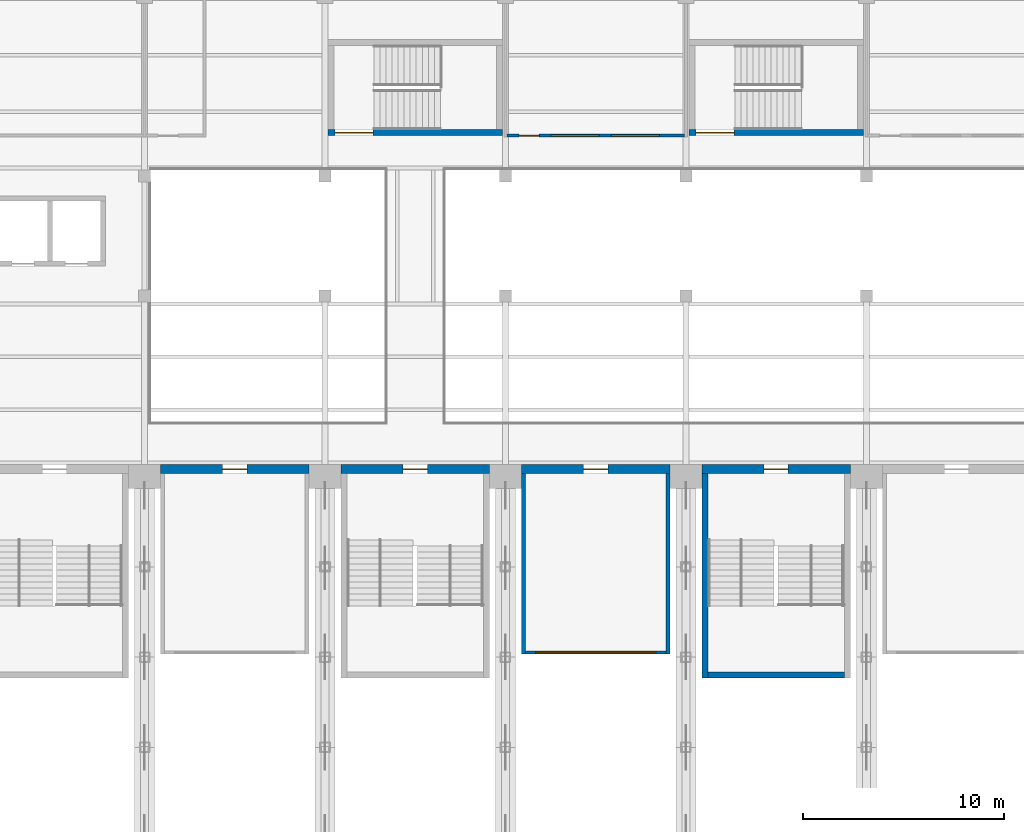
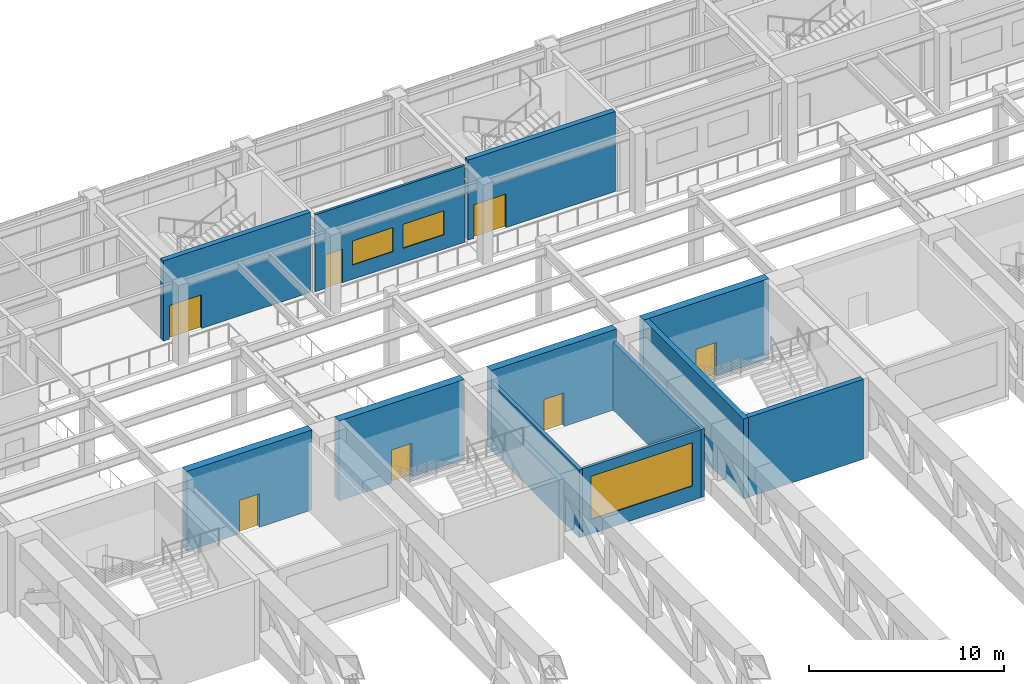
# One storey, part 35 of 76: 12 walls, 7 doors, 3 windows, 10 openings.
"""IFC4 building model written with IfcOpenShell, lengths in metres."""

from ifc_helpers import new_model, si_unit, direction, frame, frame_2d, origin, place, context, subcontext, project, spatial, rectangle, extrude, material, layer, layer_set, type_object, element, fill, save


model = new_model("IFC4")

# Units and contexts
model_context = context("Model", 3, precision=1e-05, world=origin(), true_north=direction((0.0, 1.0)))
body_context = subcontext(model_context, "Body", "Model", "MODEL_VIEW")
ifc_project = project(units=[si_unit("LENGTHUNIT", "METRE"), si_unit("AREAUNIT", "SQUARE_METRE"), si_unit("VOLUMEUNIT", "CUBIC_METRE"), si_unit("PLANEANGLEUNIT", "RADIAN"), si_unit("MASSUNIT", "GRAM", prefix="KILO")], contexts=[model_context])

# Site, building, storey
site_placement = place(None, origin())
site = spatial("IfcSite", under=ifc_project, at=site_placement, CompositionType="ELEMENT")
building_placement = place(site_placement, origin())
building = spatial("IfcBuilding", under=site, at=building_placement, Name="Aravalli Gate Trade Fair Centre", CompositionType="ELEMENT")
storey_placement = place(building_placement, frame((0.0, 0.0, 10.0)))
storey = spatial("IfcBuildingStorey", under=building, at=storey_placement, Name="L02", CompositionType="ELEMENT", Elevation=10.0)

# Wall, opening, door
ifc_material_1 = material(Name="Concrete M40", Category="concrete")
ifc_layer_1 = layer(ifc_material_1, 0.25, Name="Structural wall")
ifc_material_2 = material(Name="Ventilated air cavity")
ifc_layer_2 = layer(ifc_material_2, 0.10009765625, ventilated=True, Name="Ventilated cavity")
ifc_material_3 = material(Name="Terracotta rainscreen", Category="masonry")
ifc_layer_3 = layer(ifc_material_3, 0.10009765625, Name="Rainscreen cladding")
ifc_layer_set_1 = layer_set([ifc_layer_1, ifc_layer_2, ifc_layer_3], Name="Hall external wall 450")
wall_type_1 = type_object("IfcWallType", Name="Hall external wall 450", PredefinedType="SOLIDWALL", material=ifc_layer_set_1)
wall_1_placement = place(storey_placement, frame((24.800048828125, 109.375, 0.0), z_axis=(0.0, 0.0, 1.0), x_axis=(1.0, 0.0, 0.0)))
wall_1 = element("IfcWall", 1, at=wall_1_placement, inside=storey, type_object=wall_type_1, Name="Hall north wall bay 3 L02", PredefinedType="SOLIDWALL", context=body_context, shape_type="SweptSolid", body=[
    extrude(rectangle(XDim=7.39990234375, YDim=0.449951171875, at=frame_2d((3.699951171875, 0.0))), origin(), (0.0, 0.0, 1.0), 5.0),
])
opening_1_placement = place(wall_1_placement, frame((3.10009765625, 0.0, 0.0)))
opening_1 = element("IfcOpeningElement", 2, at=opening_1_placement, cuts=wall_1, Name="Opening H-L02-06", PredefinedType="OPENING", context=body_context, shape_type="SweptSolid", body=[
    extrude(rectangle(XDim=1.199951171875, YDim=2.10009765625, at=frame_2d((0.60009765625, 1.050048828125))), frame((0.0, 0.23486328125, 0.0), z_axis=(0.0, -1.0, 0.0), x_axis=(1.0, 0.0, 0.0)), (0.0, 0.0, 1.0), 0.469970703125),
])
ifc_material_4 = material(Name="Steel", Category="steel")
door_type_1 = type_object("IfcDoorType", Name="Meeting room door FD60", OperationType="SINGLE_SWING_LEFT", PredefinedType="DOOR", material=ifc_material_4)
door_1_placement = place(opening_1_placement, frame((1.199951171875, 0.0, 0.0), z_axis=(0.0, 0.0, 1.0), x_axis=(-1.0, 0.0, 0.0)))
door_1 = element("IfcDoor", 3, at=door_1_placement, inside=storey, type_object=door_type_1, Name="Meeting room 7 door", OperationType="SINGLE_SWING_RIGHT", OverallHeight=2.10009765625, OverallWidth=1.199951171875, PredefinedType="DOOR", context=body_context, shape_type="SweptSolid", body=[
    extrude(rectangle(XDim=1.199951171875, YDim=2.10009765625, at=frame_2d((0.60009765625, 1.050048828125))), frame((0.0, 0.02490234375, 0.0), z_axis=(0.0, -1.0, 0.0), x_axis=(1.0, 0.0, 0.0)), (0.0, 0.0, 1.0), 0.050048828125),
])
fill(opening_1, door_1)

wall_2_placement = place(storey_placement, frame((33.800048828125, 109.375, 0.0), z_axis=(0.0, 0.0, 1.0), x_axis=(1.0, 0.0, 0.0)))
wall_2 = element("IfcWall", 4, at=wall_2_placement, inside=storey, type_object=wall_type_1, Name="Hall north wall bay 4 L02", PredefinedType="SOLIDWALL", context=body_context, shape_type="SweptSolid", body=[
    extrude(rectangle(XDim=7.39990234375, YDim=0.449951171875, at=frame_2d((3.699951171875, 0.0))), origin(), (0.0, 0.0, 1.0), 5.0),
])
opening_2_placement = place(wall_2_placement, frame((3.10009765625, 0.0, 0.0)))
opening_2 = element("IfcOpeningElement", 5, at=opening_2_placement, cuts=wall_2, Name="Opening H-L02-02", PredefinedType="OPENING", context=body_context, shape_type="SweptSolid", body=[
    extrude(rectangle(XDim=1.199951171875, YDim=2.10009765625, at=frame_2d((0.60009765625, 1.050048828125))), frame((0.0, 0.23486328125, 0.0), z_axis=(0.0, -1.0, 0.0), x_axis=(1.0, 0.0, 0.0)), (0.0, 0.0, 1.0), 0.469970703125),
])
door_type_2 = type_object("IfcDoorType", Name="Hall stair gallery door FD120", OperationType="SINGLE_SWING_LEFT", PredefinedType="DOOR", material=ifc_material_4)
door_2_placement = place(opening_2_placement, frame((1.199951171875, 0.0, 0.0), z_axis=(0.0, 0.0, 1.0), x_axis=(-1.0, 0.0, 0.0)))
door_2 = element("IfcDoor", 6, at=door_2_placement, inside=storey, type_object=door_type_2, Name="Stair door ST-N04 L02 gallery", OperationType="SINGLE_SWING_RIGHT", OverallHeight=2.10009765625, OverallWidth=1.199951171875, PredefinedType="DOOR", context=body_context, shape_type="SweptSolid", body=[
    extrude(rectangle(XDim=1.199951171875, YDim=2.10009765625, at=frame_2d((0.60009765625, 1.050048828125))), frame((0.0, 0.02490234375, 0.0), z_axis=(0.0, -1.0, 0.0), x_axis=(1.0, 0.0, 0.0)), (0.0, 0.0, 1.0), 0.050048828125),
])
fill(opening_2, door_2)

wall_3_placement = place(storey_placement, frame((42.800048828125, 109.375, 0.0), z_axis=(0.0, 0.0, 1.0), x_axis=(1.0, 0.0, 0.0)))
wall_3 = element("IfcWall", 7, at=wall_3_placement, inside=storey, type_object=wall_type_1, Name="Hall north wall bay 5 L02", PredefinedType="SOLIDWALL", context=body_context, shape_type="SweptSolid", body=[
    extrude(rectangle(XDim=7.39990234375, YDim=0.449951171875, at=frame_2d((3.699951171875, 0.0))), origin(), (0.0, 0.0, 1.0), 5.0),
])
opening_3_placement = place(wall_3_placement, frame((3.10009765625, 0.0, 0.0)))
opening_3 = element("IfcOpeningElement", 8, at=opening_3_placement, cuts=wall_3, Name="Opening H-L02-07", PredefinedType="OPENING", context=body_context, shape_type="SweptSolid", body=[
    extrude(rectangle(XDim=1.199951171875, YDim=2.10009765625, at=frame_2d((0.60009765625, 1.050048828125))), frame((0.0, 0.23486328125, 0.0), z_axis=(0.0, -1.0, 0.0), x_axis=(1.0, 0.0, 0.0)), (0.0, 0.0, 1.0), 0.469970703125),
])
door_3_placement = place(opening_3_placement, frame((1.199951171875, 0.0, 0.0), z_axis=(0.0, 0.0, 1.0), x_axis=(-1.0, 0.0, 0.0)))
door_3 = element("IfcDoor", 9, at=door_3_placement, inside=storey, type_object=door_type_1, Name="Meeting room 8 door", OperationType="SINGLE_SWING_LEFT", OverallHeight=2.10009765625, OverallWidth=1.199951171875, PredefinedType="DOOR", context=body_context, shape_type="SweptSolid", body=[
    extrude(rectangle(XDim=1.199951171875, YDim=2.10009765625, at=frame_2d((0.60009765625, 1.050048828125))), frame((0.0, 0.02490234375, 0.0), z_axis=(0.0, -1.0, 0.0), x_axis=(1.0, 0.0, 0.0)), (0.0, 0.0, 1.0), 0.050048828125),
])
fill(opening_3, door_3)

wall_4_placement = place(storey_placement, frame((51.800048828125, 109.375, 0.0), z_axis=(0.0, 0.0, 1.0), x_axis=(1.0, 0.0, 0.0)))
wall_4 = element("IfcWall", 10, at=wall_4_placement, inside=storey, type_object=wall_type_1, Name="Hall north wall bay 6 L02", PredefinedType="SOLIDWALL", context=body_context, shape_type="SweptSolid", body=[
    extrude(rectangle(XDim=7.39990234375, YDim=0.449951171875, at=frame_2d((3.699951171875, 0.0))), origin(), (0.0, 0.0, 1.0), 5.0),
])
opening_4_placement = place(wall_4_placement, frame((3.10009765625, 0.0, 0.0)))
opening_4 = element("IfcOpeningElement", 11, at=opening_4_placement, cuts=wall_4, Name="Opening H-L02-03", PredefinedType="OPENING", context=body_context, shape_type="SweptSolid", body=[
    extrude(rectangle(XDim=1.199951171875, YDim=2.10009765625, at=frame_2d((0.60009765625, 1.050048828125))), frame((0.0, 0.23486328125, 0.0), z_axis=(0.0, -1.0, 0.0), x_axis=(1.0, 0.0, 0.0)), (0.0, 0.0, 1.0), 0.469970703125),
])
door_4_placement = place(opening_4_placement, frame((1.199951171875, 0.0, 0.0), z_axis=(0.0, 0.0, 1.0), x_axis=(-1.0, 0.0, 0.0)))
door_4 = element("IfcDoor", 12, at=door_4_placement, inside=storey, type_object=door_type_2, Name="Stair door ST-N06 L02 gallery", OperationType="SINGLE_SWING_LEFT", OverallHeight=2.10009765625, OverallWidth=1.199951171875, PredefinedType="DOOR", context=body_context, shape_type="SweptSolid", body=[
    extrude(rectangle(XDim=1.199951171875, YDim=2.10009765625, at=frame_2d((0.60009765625, 1.050048828125))), frame((0.0, 0.02490234375, 0.0), z_axis=(0.0, -1.0, 0.0), x_axis=(1.0, 0.0, 0.0)), (0.0, 0.0, 1.0), 0.050048828125),
])
fill(opening_4, door_4)

# Wall, opening, window
ifc_material_5 = material(Name="Steel E350 (350 MPa)", Category="steel")
ifc_layer_4 = layer(ifc_material_5, 0.14990234375)
ifc_layer_set_2 = layer_set([ifc_layer_4], Name="Steel E350 (350 MPa)")
wall_type_2 = type_object("IfcWallType", Name="Meeting room glazed front wall 150", PredefinedType="PARTITIONING", material=ifc_layer_set_2)
wall_5_placement = place(storey_placement, frame((43.0, 100.22509765625, 0.0), z_axis=(0.0, 0.0, 1.0), x_axis=(1.0, 0.0, 0.0)))
wall_5 = element("IfcWall", 13, at=wall_5_placement, inside=storey, type_object=wall_type_2, Name="Meeting room 8 front wall", PredefinedType="PARTITIONING", context=body_context, shape_type="SweptSolid", body=[
    extrude(rectangle(XDim=7.0, YDim=0.14990234375, at=frame_2d((3.5, 0.0))), origin(), (0.0, 0.0, 1.0), 4.25),
])
opening_5_placement = place(wall_5_placement, frame((0.5, 0.0, 0.89990234375)))
opening_5 = element("IfcOpeningElement", 14, at=opening_5_placement, cuts=wall_5, Name="Opening WM1", PredefinedType="OPENING", context=body_context, shape_type="SweptSolid", body=[
    extrude(rectangle(XDim=6.0, YDim=2.699951171875, at=frame_2d((3.0, 1.35009765625))), frame((0.0, 0.0849609375, 0.0), z_axis=(0.0, -1.0, 0.0), x_axis=(1.0, 0.0, 0.0)), (0.0, 0.0, 1.0), 0.169921875),
])
ifc_material_6 = material(Name="Glass in steel frame", Category="steel")
window_type_1 = type_object("IfcWindowType", Name="Meeting room window 6000x2700", PartitioningType="TRIPLE_PANEL_VERTICAL", PredefinedType="WINDOW", material=ifc_material_6)
window_1_placement = place(opening_5_placement, origin())
window_1 = element("IfcWindow", 15, at=window_1_placement, inside=storey, type_object=window_type_1, Name="Meeting room 8 window", OverallHeight=2.699951171875, OverallWidth=6.0, PartitioningType="TRIPLE_PANEL_VERTICAL", PredefinedType="WINDOW", context=body_context, shape_type="SweptSolid", body=[
    extrude(rectangle(XDim=6.0, YDim=2.699951171875, at=frame_2d((3.0, 1.35009765625))), frame((0.0, 0.030029296875, 0.0), z_axis=(0.0, -1.0, 0.0), x_axis=(1.0, 0.0, 0.0)), (0.0, 0.0, 1.0), 0.06005859375),
])
fill(opening_5, window_1)

# Walls
ifc_layer_5 = layer(ifc_material_1, 0.199951171875)
ifc_layer_set_3 = layer_set([ifc_layer_5], Name="Concrete M40")
wall_type_3 = type_object("IfcWallType", Name="Meeting room side wall RC 200", PredefinedType="SHEAR", material=ifc_layer_set_3)
for number, where, z_axis, x_axis, name in (
    (16, (42.89990234375, 100.14990234375, 0.0), (0.0, 0.0, 1.0), (0.0, 1.0, 0.0), "Meeting room 8 side wall W"),
    (17, (50.10009765625, 100.14990234375, 0.0), (0.0, 0.0, 1.0), (0.0, 1.0, 0.0), "Meeting room 8 side wall E"),
):
    element("IfcWall", number, at=place(storey_placement, frame(where, z_axis=z_axis, x_axis=x_axis)), inside=storey, type_object=wall_type_3, Name=name, PredefinedType="SHEAR", context=body_context, shape_type="SweptSolid", body=[
        extrude(rectangle(XDim=9.0, YDim=0.199951171875, at=frame_2d((4.5, 0.0))), origin(), (0.0, 0.0, 1.0), 4.25),
    ])

# Wall, openings, windows, door
ifc_material_7 = material(Name="Gypsum board")
ifc_layer_6 = layer(ifc_material_7, 0.02490234375, Name="Gypsum board lining")
ifc_material_8 = material(Name="Galvanised stud framing")
ifc_layer_7 = layer(ifc_material_8, 0.10009765625, Name="Stud framing")
ifc_layer_8 = layer(ifc_material_7, 0.02490234375, Name="Gypsum board lining")
ifc_layer_set_4 = layer_set([ifc_layer_6, ifc_layer_7, ifc_layer_8], Name="Partition wall 150")
wall_type_4 = type_object("IfcWallType", Name="Partition wall 150", PredefinedType="PARTITIONING", material=ifc_layer_set_4)
wall_6_placement = place(storey_placement, frame((42.074951171875, 126.0, 0.0), z_axis=(0.0, 0.0, 1.0), x_axis=(1.0, 0.0, 0.0)))
wall_6 = element("IfcWall", 18, at=wall_6_placement, inside=storey, type_object=wall_type_4, Name="Partition Meeting Room 1 south L02", PredefinedType="PARTITIONING", context=body_context, shape_type="SweptSolid", body=[
    extrude(rectangle(XDim=8.85009765625, YDim=0.14990234375, at=frame_2d((4.425048828125, 0.0))), origin(), (0.0, 0.0, 1.0), 4.800048828125),
])
opening_6_placement = place(wall_6_placement, frame((0.60009765625, 0.0, 0.0)))
opening_6 = element("IfcOpeningElement", 19, at=opening_6_placement, cuts=wall_6, Name="Opening C-L02-15", PredefinedType="OPENING", context=body_context, shape_type="SweptSolid", body=[
    extrude(rectangle(XDim=1.0, YDim=2.10009765625, at=frame_2d((0.5, 1.050048828125))), frame((0.0, 0.0849609375, 0.0), z_axis=(0.0, -1.0, 0.0), x_axis=(1.0, 0.0, 0.0)), (0.0, 0.0, 1.0), 0.169921875),
])
opening_7_placement = place(wall_6_placement, frame((2.199951171875, 0.0, 0.89990234375)))
opening_7 = element("IfcOpeningElement", 20, at=opening_7_placement, cuts=wall_6, Name="Opening WI1", PredefinedType="OPENING", context=body_context, shape_type="SweptSolid", body=[
    extrude(rectangle(XDim=2.39990234375, YDim=1.5, at=frame_2d((1.199951171875, 0.75))), frame((0.0, 0.0849609375, 0.0), z_axis=(0.0, -1.0, 0.0), x_axis=(1.0, 0.0, 0.0)), (0.0, 0.0, 1.0), 0.169921875),
])
opening_8_placement = place(wall_6_placement, frame((5.199951171875, 0.0, 0.89990234375)))
opening_8 = element("IfcOpeningElement", 21, at=opening_8_placement, cuts=wall_6, Name="Opening WI1", PredefinedType="OPENING", context=body_context, shape_type="SweptSolid", body=[
    extrude(rectangle(XDim=2.39990234375, YDim=1.5, at=frame_2d((1.199951171875, 0.75))), frame((0.0, 0.0849609375, 0.0), z_axis=(0.0, -1.0, 0.0), x_axis=(1.0, 0.0, 0.0)), (0.0, 0.0, 1.0), 0.169921875),
])
ifc_material_9 = material(Name="Glass, fire rated", Category="glass")
window_type_2 = type_object("IfcWindowType", Name="Interior glazed screen 2400 x 1500", PartitioningType="SINGLE_PANEL", PredefinedType="WINDOW", material=ifc_material_9)
window_2_placement = place(opening_7_placement, origin())
window_2 = element("IfcWindow", 22, at=window_2_placement, inside=storey, type_object=window_type_2, Name="Interior window Meeting Room 1 1 L02", OverallHeight=1.5, OverallWidth=2.39990234375, PartitioningType="SINGLE_PANEL", PredefinedType="WINDOW", context=body_context, shape_type="SweptSolid", body=[
    extrude(rectangle(XDim=2.39990234375, YDim=1.5, at=frame_2d((1.199951171875, 0.75))), frame((0.0, 0.030029296875, 0.0), z_axis=(0.0, -1.0, 0.0), x_axis=(1.0, 0.0, 0.0)), (0.0, 0.0, 1.0), 0.06005859375),
])
fill(opening_7, window_2)
window_3_placement = place(opening_8_placement, origin())
window_3 = element("IfcWindow", 23, at=window_3_placement, inside=storey, type_object=window_type_2, Name="Interior window Meeting Room 1 2 L02", OverallHeight=1.5, OverallWidth=2.39990234375, PartitioningType="SINGLE_PANEL", PredefinedType="WINDOW", context=body_context, shape_type="SweptSolid", body=[
    extrude(rectangle(XDim=2.39990234375, YDim=1.5, at=frame_2d((1.199951171875, 0.75))), frame((0.0, 0.030029296875, 0.0), z_axis=(0.0, -1.0, 0.0), x_axis=(1.0, 0.0, 0.0)), (0.0, 0.0, 1.0), 0.06005859375),
])
fill(opening_8, window_3)
ifc_material_10 = material(Name="Steel, fire rated", Category="steel")
door_type_3 = type_object("IfcDoorType", Name="Room door 1000 x 2100", OperationType="SINGLE_SWING_RIGHT", PredefinedType="NOTDEFINED", material=ifc_material_10)
door_5_placement = place(opening_6_placement, origin())
door_5 = element("IfcDoor", 24, at=door_5_placement, inside=storey, type_object=door_type_3, Name="Door Meeting Room 1 L02", OperationType="SINGLE_SWING_LEFT", OverallHeight=2.10009765625, OverallWidth=1.0, PredefinedType="NOTDEFINED", context=body_context, shape_type="SweptSolid", body=[
    extrude(rectangle(XDim=1.0, YDim=2.10009765625, at=frame_2d((0.5, 1.050048828125))), frame((0.0, 0.02490234375, 0.0), z_axis=(0.0, -1.0, 0.0), x_axis=(1.0, 0.0, 0.0)), (0.0, 0.0, 1.0), 0.050048828125),
])
fill(opening_6, door_5)

# Wall, opening, door
ifc_layer_9 = layer(ifc_material_1, 0.300048828125)
ifc_layer_set_5 = layer_set([ifc_layer_9], Name="Concrete M40")
wall_type_5 = type_object("IfcWallType", Name="RC core wall 300", PredefinedType="SHEAR", material=ifc_layer_set_5)
wall_7_placement = place(storey_placement, frame((33.14990234375, 126.14990234375, 0.0), z_axis=(0.0, 0.0, 1.0), x_axis=(1.0, 0.0, 0.0)))
wall_7 = element("IfcWall", 25, at=wall_7_placement, inside=storey, type_object=wall_type_5, Name="Core wall XAS L02", PredefinedType="SHEAR", context=body_context, shape_type="SweptSolid", body=[
    extrude(rectangle(XDim=8.7001953125, YDim=0.300048828125, at=frame_2d((4.35009765625, 0.0))), origin(), (0.0, 0.0, 1.0), 5.0),
])
opening_9_placement = place(wall_7_placement, frame((0.35009765625, 0.0, 0.0)))
opening_9 = element("IfcOpeningElement", 26, at=opening_9_placement, cuts=wall_7, Name="Opening C-L02-07", PredefinedType="OPENING", context=body_context, shape_type="SweptSolid", body=[
    extrude(rectangle(XDim=1.89990234375, YDim=2.10009765625, at=frame_2d((0.949951171875, 1.050048828125))), frame((0.0, 0.159912109375, 0.0), z_axis=(0.0, -1.0, 0.0), x_axis=(1.0, 0.0, 0.0)), (0.0, 0.0, 1.0), 0.320068359375),
])
door_type_4 = type_object("IfcDoorType", Name="Concourse stair door 1900 x 2100", OperationType="DOUBLE_DOOR_SINGLE_SWING", PredefinedType="NOTDEFINED", material=ifc_material_10)
door_6_placement = place(opening_9_placement, origin())
door_6 = element("IfcDoor", 27, at=door_6_placement, inside=storey, type_object=door_type_4, Name="Stair door XA L02", OperationType="DOUBLE_DOOR_SINGLE_SWING", OverallHeight=2.10009765625, OverallWidth=1.89990234375, PredefinedType="NOTDEFINED", context=body_context, shape_type="SweptSolid", body=[
    extrude(rectangle(XDim=1.89990234375, YDim=2.10009765625, at=frame_2d((0.949951171875, 1.050048828125))), frame((0.0, 0.02490234375, 0.0), z_axis=(0.0, -1.0, 0.0), x_axis=(1.0, 0.0, 0.0)), (0.0, 0.0, 1.0), 0.050048828125),
])
fill(opening_9, door_6)

wall_8_placement = place(storey_placement, frame((51.14990234375, 126.14990234375, 0.0), z_axis=(0.0, 0.0, 1.0), x_axis=(1.0, 0.0, 0.0)))
wall_8 = element("IfcWall", 28, at=wall_8_placement, inside=storey, type_object=wall_type_5, Name="Core wall XBS L02", PredefinedType="SHEAR", context=body_context, shape_type="SweptSolid", body=[
    extrude(rectangle(XDim=8.7001953125, YDim=0.300048828125, at=frame_2d((4.35009765625, 0.0))), origin(), (0.0, 0.0, 1.0), 5.0),
])
opening_10_placement = place(wall_8_placement, frame((0.35009765625, 0.0, 0.0)))
opening_10 = element("IfcOpeningElement", 29, at=opening_10_placement, cuts=wall_8, Name="Opening C-L02-08", PredefinedType="OPENING", context=body_context, shape_type="SweptSolid", body=[
    extrude(rectangle(XDim=1.89990234375, YDim=2.10009765625, at=frame_2d((0.949951171875, 1.050048828125))), frame((0.0, 0.159912109375, 0.0), z_axis=(0.0, -1.0, 0.0), x_axis=(1.0, 0.0, 0.0)), (0.0, 0.0, 1.0), 0.320068359375),
])
door_7_placement = place(opening_10_placement, origin())
door_7 = element("IfcDoor", 30, at=door_7_placement, inside=storey, type_object=door_type_4, Name="Stair door XB L02", OperationType="DOUBLE_DOOR_SINGLE_SWING", OverallHeight=2.10009765625, OverallWidth=1.89990234375, PredefinedType="NOTDEFINED", context=body_context, shape_type="SweptSolid", body=[
    extrude(rectangle(XDim=1.89990234375, YDim=2.10009765625, at=frame_2d((0.949951171875, 1.050048828125))), frame((0.0, 0.02490234375, 0.0), z_axis=(0.0, -1.0, 0.0), x_axis=(1.0, 0.0, 0.0)), (0.0, 0.0, 1.0), 0.050048828125),
])
fill(opening_10, door_7)

# Walls
ifc_layer_10 = layer(ifc_material_1, 0.300048828125)
ifc_layer_set_6 = layer_set([ifc_layer_10], Name="Concrete M40")
wall_type_6 = type_object("IfcWallType", Name="Stair tower wall RC 300", PredefinedType="SHEAR", material=ifc_layer_set_6)
wall_9_placement = place(storey_placement, frame((51.949951171875, 109.14990234375, 0.0), z_axis=(0.0, 0.0, 1.0), x_axis=(0.0, -1.0, 0.0)))
element("IfcWall", 31, at=wall_9_placement, inside=storey, type_object=wall_type_6, Name="Stair tower N06 wall W L02", PredefinedType="SHEAR", context=body_context, shape_type="SweptSolid", body=[
    extrude(rectangle(XDim=10.199951171875, YDim=0.300048828125, at=frame_2d((5.10009765625, 0.0))), origin(), (0.0, 0.0, 1.0), 5.0),
])
wall_10_placement = place(storey_placement, frame((52.10009765625, 99.10009765625, 0.0), z_axis=(0.0, 0.0, 1.0), x_axis=(1.0, 0.0, 0.0)))
element("IfcWall", 32, at=wall_10_placement, inside=storey, type_object=wall_type_6, Name="Stair tower N06 wall F L02", PredefinedType="SHEAR", context=body_context, shape_type="SweptSolid", body=[
    extrude(rectangle(XDim=6.7998046875, YDim=0.300048828125, at=frame_2d((3.39990234375, 0.0))), origin(), (0.0, 0.0, 1.0), 5.0),
])

save(model, "model.ifc")
